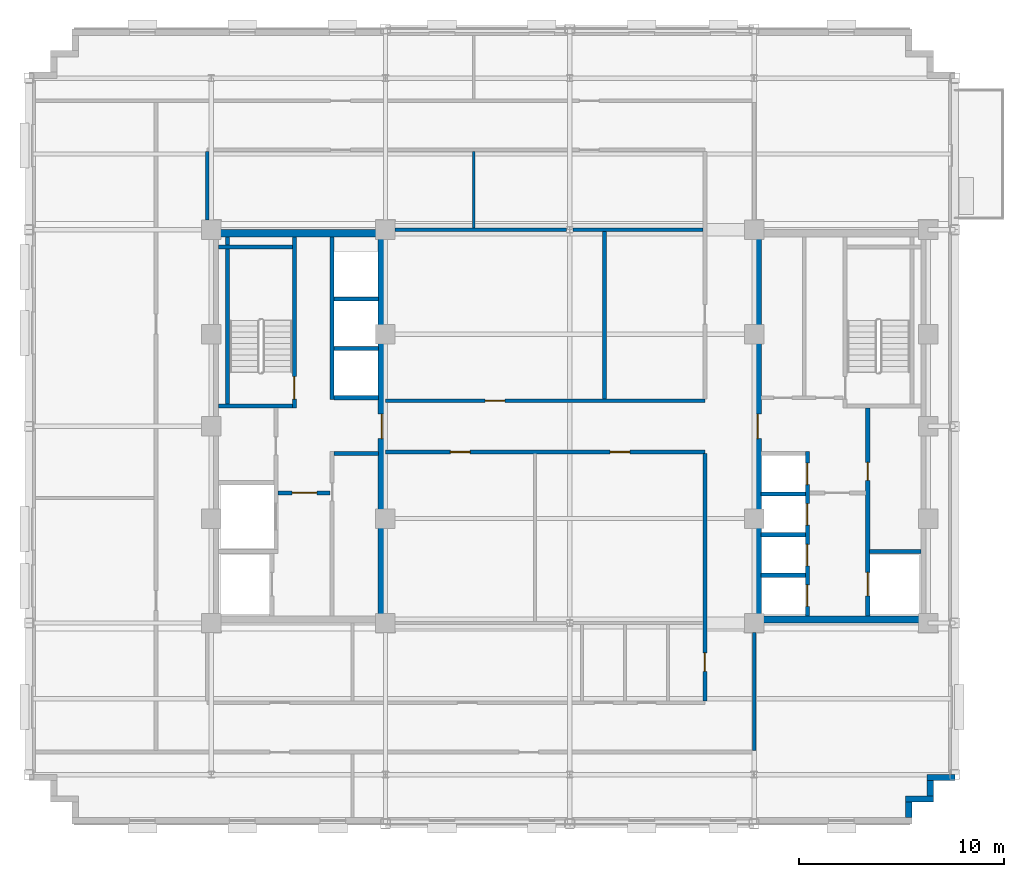
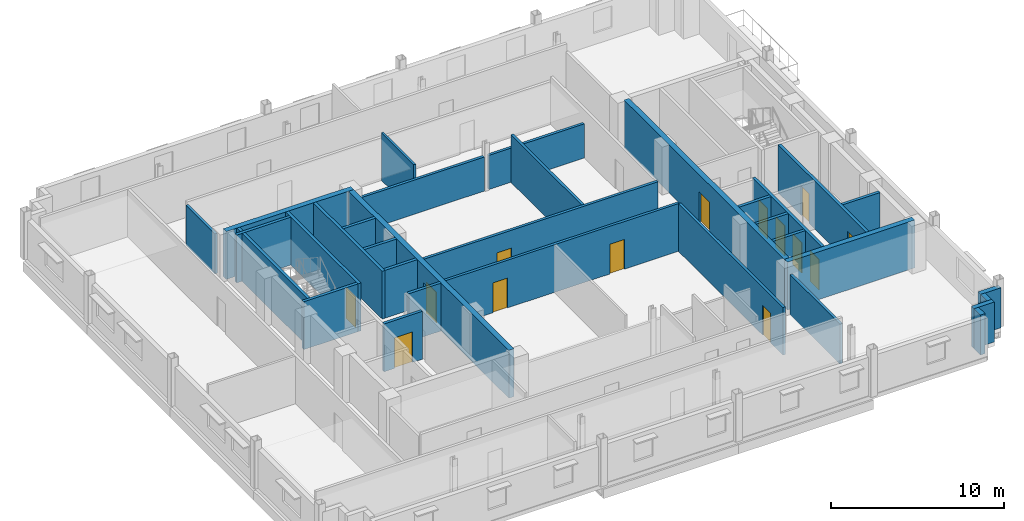
# One storey, part 7 of 13: 33 walls, 14 doors, 14 openings.
"""IFC4 building model written with IfcOpenShell, lengths in metres."""

from ifc_helpers import new_model, si_unit, direction, frame, frame_2d, origin, place, context, subcontext, project, spatial, rectangle, extrude, source, transform, mapped, material, layer, layer_set, type_object, type_shapes, element, fill, save


model = new_model("IFC4")

# Units and contexts
model_context = context("Model", 3, precision=1e-05, world=origin(), true_north=direction((0.0, 1.0)))
body_context = subcontext(model_context, "Body", "Model", "MODEL_VIEW")
ifc_project = project(units=[si_unit("LENGTHUNIT", "METRE"), si_unit("AREAUNIT", "SQUARE_METRE"), si_unit("VOLUMEUNIT", "CUBIC_METRE"), si_unit("PLANEANGLEUNIT", "RADIAN"), si_unit("MASSUNIT", "GRAM", prefix="KILO")], contexts=[model_context])

# Site, building, storey
site_placement = place(None, origin())
site = spatial("IfcSite", under=ifc_project, at=site_placement, CompositionType="ELEMENT")
building_placement = place(site_placement, origin())
building = spatial("IfcBuilding", under=site, at=building_placement, Name="Nuvemarco Arch Tower", CompositionType="ELEMENT")
storey_placement = place(building_placement, frame((0.0, 0.0, 216.449951171875)))
storey = spatial("IfcBuildingStorey", under=building, at=storey_placement, Name="L57", CompositionType="ELEMENT", Elevation=216.449951171875)

# Walls
ifc_material_1 = material(Name="Precast concrete C45/55", Category="concrete")
ifc_layer_1 = layer(ifc_material_1, 0.31005859375, Name="EW-UPP-310")
ifc_layer_set_1 = layer_set([ifc_layer_1], Name="Precast concrete C45/55")
wall_type_1 = type_object("IfcWallType", Name="EW-UPP-310", PredefinedType="STANDARD", material=ifc_layer_set_1)
wall_1_placement = place(storey_placement, frame((16.544921875, -19.093994140625, 0.0), z_axis=(0.0, 0.0, 1.0), x_axis=(0.0, 1.0, 0.0)))
element("IfcWall", 1, at=wall_1_placement, inside=storey, type_object=wall_type_1, Name="L57 exterior precast facade wall 2", PredefinedType="STANDARD", context=body_context, shape_type="SweptSolid", body=[
    extrude(rectangle(XDim=0.748046875, YDim=0.31005859375, at=frame_2d((0.3740234375, 0.0))), origin(), (0.0, 0.0, 1.0), 2.816162109375),
])
wall_2_placement = place(storey_placement, frame((16.389892578125, -18.195068359375, 0.0), z_axis=(0.0, 0.0, 1.0), x_axis=(1.0, 0.0, 0.0)))
element("IfcWall", 2, at=wall_2_placement, inside=storey, type_object=wall_type_1, Name="L57 exterior precast facade wall 3", PredefinedType="STANDARD", context=body_context, shape_type="SweptSolid", body=[
    extrude(rectangle(XDim=1.360107421875, YDim=0.31005859375, at=frame_2d((0.68017578125, 0.0))), origin(), (0.0, 0.0, 1.0), 2.816162109375),
])
wall_3_placement = place(storey_placement, frame((17.594970703125, -18.0439453125, 0.0), z_axis=(0.0, 0.0, 1.0), x_axis=(0.0, 1.0, 0.0)))
element("IfcWall", 3, at=wall_3_placement, inside=storey, type_object=wall_type_1, Name="L57 exterior precast facade wall 4", PredefinedType="STANDARD", context=body_context, shape_type="SweptSolid", body=[
    extrude(rectangle(XDim=0.748046875, YDim=0.31005859375, at=frame_2d((0.3740234375, 0.0))), origin(), (0.0, 0.0, 1.0), 2.816162109375),
])
wall_4_placement = place(storey_placement, frame((17.43994140625, -17.14501953125, 0.0), z_axis=(0.0, 0.0, 1.0), x_axis=(1.0, 0.0, 0.0)))
element("IfcWall", 4, at=wall_4_placement, inside=storey, type_object=wall_type_1, Name="L57 exterior precast facade wall 5", PredefinedType="STANDARD", context=body_context, shape_type="SweptSolid", body=[
    extrude(rectangle(XDim=1.360107421875, YDim=0.31005859375, at=frame_2d((0.68017578125, 0.0))), origin(), (0.0, 0.0, 1.0), 2.816162109375),
])
ifc_material_2 = material(Name="Concrete C50/60", Category="concrete")
ifc_layer_2 = layer(ifc_material_2, 0.35009765625, Name="WL-CORE-350")
ifc_layer_set_2 = layer_set([ifc_layer_2], Name="Concrete C50/60")
wall_type_2 = type_object("IfcWallType", Name="WL-CORE-350", PredefinedType="SHEAR", material=ifc_layer_set_2)
wall_5_placement = place(storey_placement, frame((-17.5, 9.425048828125, 0.0), z_axis=(0.0, 0.0, 1.0), x_axis=(1.0, 0.0, 0.0)))
element("IfcWall", 5, at=wall_5_placement, inside=storey, type_object=wall_type_2, Name="L57 W-core shear wall N", PredefinedType="SHEAR", context=body_context, shape_type="SweptSolid", body=[
    extrude(rectangle(XDim=8.5, YDim=0.35009765625, at=frame_2d((4.25, 0.0))), origin(), (0.0, 0.0, 1.0), 3.3701171875),
])

# Wall, opening, door
wall_6_placement = place(storey_placement, frame((-9.175048828125, -9.2548828125, 0.0), z_axis=(0.0, 0.0, 1.0), x_axis=(0.0, 1.0, 0.0)))
wall_6 = element("IfcWall", 6, at=wall_6_placement, inside=storey, type_object=wall_type_2, Name="L57 W-core shear wall E", PredefinedType="SHEAR", context=body_context, shape_type="SweptSolid", body=[
    extrude(rectangle(XDim=18.509765625, YDim=0.35009765625, at=frame_2d((9.2548828125, 0.0))), origin(), (0.0, 0.0, 1.0), 3.3701171875),
])
opening_1_placement = place(wall_6_placement, frame((8.655029296875, 0.0, 0.0)))
opening_1 = element("IfcOpeningElement", 7, at=opening_1_placement, cuts=wall_6, Name="Opening FD-2", PredefinedType="OPENING", context=body_context, shape_type="SweptSolid", body=[
    extrude(rectangle(XDim=1.199951171875, YDim=2.14990234375, at=frame_2d((0.60009765625, 1.074951171875))), frame((0.0, 0.18505859375, 0.0), z_axis=(0.0, -1.0, 0.0), x_axis=(1.0, 0.0, 0.0)), (0.0, 0.0, 1.0), 0.3701171875),
])
ifc_material_3 = material(Name="Anodised steel fire door", Category="steel")
door_type_1 = type_object("IfcDoorType", Name="DR-FFLOB-FD", OperationType="NOTDEFINED", PredefinedType="DOOR", material=ifc_material_3)
shared_shape_1 = source(origin(), body_context, "Body", "SweptSolid", [
    extrude(rectangle(XDim=1.199951171875, YDim=2.14990234375, at=frame_2d((0.60009765625, 1.074951171875))), frame((0.0, 0.02490234375, 0.0), z_axis=(0.0, -1.0, 0.0), x_axis=(1.0, 0.0, 0.0)), (0.0, 0.0, 1.0), 0.050048828125),
])
type_shapes(door_type_1, [shared_shape_1])
door_1_placement = place(opening_1_placement, origin())
door_1 = element("IfcDoor", 8, at=door_1_placement, inside=storey, type_object=door_type_1, Name="L57 door FD-L57-WCORE-E", OperationType="SINGLE_SWING_RIGHT", OverallHeight=2.14990234375, OverallWidth=1.199951171875, PredefinedType="DOOR", context=body_context, shape_type="MappedRepresentation", body=[
    mapped(shared_shape_1, transform((0.0, 0.0, 0.0), scale=1.0)),
])
fill(opening_1, door_1)

# Wall
wall_7_placement = place(storey_placement, frame((9.0, -9.425048828125, 0.0), z_axis=(0.0, 0.0, 1.0), x_axis=(1.0, 0.0, 0.0)))
element("IfcWall", 9, at=wall_7_placement, inside=storey, type_object=wall_type_2, Name="L57 E-core shear wall S", PredefinedType="SHEAR", context=body_context, shape_type="SweptSolid", body=[
    extrude(rectangle(XDim=8.5, YDim=0.35009765625, at=frame_2d((4.25, 0.0))), origin(), (0.0, 0.0, 1.0), 3.3701171875),
])

# Wall, opening, door
wall_8_placement = place(storey_placement, frame((9.175048828125, -9.2548828125, 0.0), z_axis=(0.0, 0.0, 1.0), x_axis=(0.0, 1.0, 0.0)))
wall_8 = element("IfcWall", 10, at=wall_8_placement, inside=storey, type_object=wall_type_2, Name="L57 E-core shear wall W", PredefinedType="SHEAR", context=body_context, shape_type="SweptSolid", body=[
    extrude(rectangle(XDim=18.509765625, YDim=0.35009765625, at=frame_2d((9.2548828125, 0.0))), origin(), (0.0, 0.0, 1.0), 3.3701171875),
])
opening_2_placement = place(wall_8_placement, frame((8.655029296875, 0.0, 0.0)))
opening_2 = element("IfcOpeningElement", 11, at=opening_2_placement, cuts=wall_8, Name="Opening FD-2", PredefinedType="OPENING", context=body_context, shape_type="SweptSolid", body=[
    extrude(rectangle(XDim=1.199951171875, YDim=2.14990234375, at=frame_2d((0.60009765625, 1.074951171875))), frame((0.0, 0.18505859375, 0.0), z_axis=(0.0, -1.0, 0.0), x_axis=(1.0, 0.0, 0.0)), (0.0, 0.0, 1.0), 0.3701171875),
])
door_2_placement = place(opening_2_placement, origin())
door_2 = element("IfcDoor", 12, at=door_2_placement, inside=storey, type_object=door_type_1, Name="L57 door FD-L57-ECORE-W", OperationType="SINGLE_SWING_LEFT", OverallHeight=2.14990234375, OverallWidth=1.199951171875, PredefinedType="DOOR", context=body_context, shape_type="MappedRepresentation", body=[
    mapped(shared_shape_1, transform((0.0, 0.0, 0.0), scale=1.0)),
])
fill(opening_2, door_2)

# Wall, openings, doors
ifc_material_4 = material(Name="Fire-rated gypsum drywall partition")
ifc_layer_3 = layer(ifc_material_4, 0.179931640625, Name="WL-CORR-180")
ifc_layer_set_3 = layer_set([ifc_layer_3], Name="Fire-rated gypsum drywall partition")
wall_type_3 = type_object("IfcWallType", Name="WL-CORR-180", PredefinedType="PARTITIONING", material=ifc_layer_set_3)
wall_9_placement = place(storey_placement, frame((-9.0, -1.25, 0.0), z_axis=(0.0, 0.0, 1.0), x_axis=(1.0, 0.0, 0.0)))
wall_9 = element("IfcWall", 13, at=wall_9_placement, inside=storey, type_object=wall_type_3, Name="L57 interior wall IW-L57-006", PredefinedType="PARTITIONING", context=body_context, shape_type="SweptSolid", body=[
    extrude(rectangle(XDim=15.60009765625, YDim=0.179931640625, at=frame_2d((7.800048828125, 0.0))), origin(), (0.0, 0.0, 1.0), 3.360107421875),
])
opening_3_placement = place(wall_9_placement, frame((10.969970703125, 0.0, 0.0)))
opening_3 = element("IfcOpeningElement", 14, at=opening_3_placement, cuts=wall_9, Name="Opening FD-5", PredefinedType="OPENING", context=body_context, shape_type="SweptSolid", body=[
    extrude(rectangle(XDim=0.9599609375, YDim=2.10009765625, at=frame_2d((0.47998046875, 1.050048828125))), frame((0.0, 0.099853515625, 0.0), z_axis=(0.0, -1.0, 0.0), x_axis=(1.0, 0.0, 0.0)), (0.0, 0.0, 1.0), 0.199951171875),
])
opening_4_placement = place(wall_9_placement, frame((3.169921875, 0.0, 0.0)))
opening_4 = element("IfcOpeningElement", 15, at=opening_4_placement, cuts=wall_9, Name="Opening FD-5", PredefinedType="OPENING", context=body_context, shape_type="SweptSolid", body=[
    extrude(rectangle(XDim=0.9599609375, YDim=2.10009765625, at=frame_2d((0.47998046875, 1.050048828125))), frame((0.0, 0.099853515625, 0.0), z_axis=(0.0, -1.0, 0.0), x_axis=(1.0, 0.0, 0.0)), (0.0, 0.0, 1.0), 0.199951171875),
])
ifc_material_5 = material(Name="Timber fire door", Category="wood")
door_type_2 = type_object("IfcDoorType", Name="DR-CORR-FD", OperationType="NOTDEFINED", PredefinedType="DOOR", material=ifc_material_5)
shared_shape_2 = source(origin(), body_context, "Body", "SweptSolid", [
    extrude(rectangle(XDim=0.9599609375, YDim=2.10009765625, at=frame_2d((0.47998046875, 1.050048828125))), frame((0.0, 0.02490234375, 0.0), z_axis=(0.0, -1.0, 0.0), x_axis=(1.0, 0.0, 0.0)), (0.0, 0.0, 1.0), 0.050048828125),
])
type_shapes(door_type_2, [shared_shape_2])
door_3_placement = place(opening_3_placement, origin())
door_3 = element("IfcDoor", 16, at=door_3_placement, inside=storey, type_object=door_type_2, Name="L57 door DR-L57-C_SE", OperationType="SINGLE_SWING_LEFT", OverallHeight=2.10009765625, OverallWidth=0.9599609375, PredefinedType="DOOR", context=body_context, shape_type="MappedRepresentation", body=[
    mapped(shared_shape_2, transform((0.0, 0.0, 0.0), scale=1.0)),
])
fill(opening_3, door_3)
door_4_placement = place(opening_4_placement, origin())
door_4 = element("IfcDoor", 17, at=door_4_placement, inside=storey, type_object=door_type_2, Name="L57 door DR-L57-C_SW", OperationType="SINGLE_SWING_LEFT", OverallHeight=2.10009765625, OverallWidth=0.9599609375, PredefinedType="DOOR", context=body_context, shape_type="MappedRepresentation", body=[
    mapped(shared_shape_2, transform((0.0, 0.0, 0.0), scale=1.0)),
])
fill(opening_4, door_4)

# Wall, opening, door
wall_10_placement = place(storey_placement, frame((-9.0, 1.25, 0.0), z_axis=(0.0, 0.0, 1.0), x_axis=(1.0, 0.0, 0.0)))
wall_10 = element("IfcWall", 18, at=wall_10_placement, inside=storey, type_object=wall_type_3, Name="L57 interior wall IW-L57-007", PredefinedType="PARTITIONING", context=body_context, shape_type="SweptSolid", body=[
    extrude(rectangle(XDim=15.60009765625, YDim=0.179931640625, at=frame_2d((7.800048828125, 0.0))), origin(), (0.0, 0.0, 1.0), 3.360107421875),
])
opening_5_placement = place(wall_10_placement, frame((4.8701171875, 0.0, 0.0)))
opening_5 = element("IfcOpeningElement", 19, at=opening_5_placement, cuts=wall_10, Name="Opening FD-5", PredefinedType="OPENING", context=body_context, shape_type="SweptSolid", body=[
    extrude(rectangle(XDim=0.9599609375, YDim=2.10009765625, at=frame_2d((0.47998046875, 1.050048828125))), frame((0.0, 0.099853515625, 0.0), z_axis=(0.0, -1.0, 0.0), x_axis=(1.0, 0.0, 0.0)), (0.0, 0.0, 1.0), 0.199951171875),
])
door_5_placement = place(opening_5_placement, origin())
door_5 = element("IfcDoor", 20, at=door_5_placement, inside=storey, type_object=door_type_2, Name="L57 door DR-L57-C_NW", OperationType="SINGLE_SWING_LEFT", OverallHeight=2.10009765625, OverallWidth=0.9599609375, PredefinedType="DOOR", context=body_context, shape_type="MappedRepresentation", body=[
    mapped(shared_shape_2, transform((0.0, 0.0, 0.0), scale=1.0)),
])
fill(opening_5, door_5)

# Walls
wall_11_placement = place(storey_placement, frame((-8.529052734375, 9.60009765625, 0.0), z_axis=(0.0, 0.0, 1.0), x_axis=(1.0, 0.0, 0.0)))
element("IfcWall", 21, at=wall_11_placement, inside=storey, type_object=wall_type_3, Name="L57 interior wall IW-L57-008", PredefinedType="PARTITIONING", context=body_context, shape_type="SweptSolid", body=[
    extrude(rectangle(XDim=8.378173828125, YDim=0.179931640625, at=frame_2d((4.18896484375, 0.0))), origin(), (0.0, 0.0, 1.0), 2.405029296875),
])
wall_12_placement = place(storey_placement, frame((0.15087890625, 9.60009765625, 0.0), z_axis=(0.0, 0.0, 1.0), x_axis=(1.0, 0.0, 0.0)))
element("IfcWall", 22, at=wall_12_placement, inside=storey, type_object=wall_type_3, Name="L57 interior wall IW-L57-009", PredefinedType="PARTITIONING", context=body_context, shape_type="SweptSolid", body=[
    extrude(rectangle(XDim=6.363037109375, YDim=0.179931640625, at=frame_2d((3.181640625, 0.0))), origin(), (0.0, 0.0, 1.0), 2.405029296875),
])
wall_13_placement = place(storey_placement, frame((-17.699951171875, 10.071044921875, 0.0), z_axis=(0.0, 0.0, 1.0), x_axis=(0.0, 1.0, 0.0)))
element("IfcWall", 23, at=wall_13_placement, inside=storey, type_object=wall_type_3, Name="L57 interior wall IW-L57-014", PredefinedType="PARTITIONING", context=body_context, shape_type="SweptSolid", body=[
    extrude(rectangle(XDim=3.343017578125, YDim=0.179931640625, at=frame_2d((1.67138671875, 0.0))), origin(), (0.0, 0.0, 1.0), 2.816162109375),
])
wall_14_placement = place(storey_placement, frame((1.699951171875, 1.3359375, 0.0), z_axis=(0.0, 0.0, 1.0), x_axis=(0.0, 1.0, 0.0)))
element("IfcWall", 24, at=wall_14_placement, inside=storey, type_object=wall_type_3, Name="L57 interior wall IW-L57-021", PredefinedType="PARTITIONING", context=body_context, shape_type="SweptSolid", body=[
    extrude(rectangle(XDim=8.177978515625, YDim=0.179931640625, at=frame_2d((4.0888671875, 0.0))), origin(), (0.0, 0.0, 1.0), 3.360107421875),
])

# Wall, opening, door
wall_15_placement = place(storey_placement, frame((6.60009765625, -13.4140625, 0.0), z_axis=(0.0, 0.0, 1.0), x_axis=(0.0, 1.0, 0.0)))
wall_15 = element("IfcWall", 25, at=wall_15_placement, inside=storey, type_object=wall_type_3, Name="L57 interior wall IW-L57-024", PredefinedType="PARTITIONING", context=body_context, shape_type="SweptSolid", body=[
    extrude(rectangle(XDim=12.078125, YDim=0.179931640625, at=frame_2d((6.0390625, 0.0))), origin(), (0.0, 0.0, 1.0), 3.360107421875),
])
opening_6_placement = place(wall_15_placement, frame((1.45703125, 0.0, 0.0)))
opening_6 = element("IfcOpeningElement", 26, at=opening_6_placement, cuts=wall_15, Name="Opening ID-3", PredefinedType="OPENING", context=body_context, shape_type="SweptSolid", body=[
    extrude(rectangle(XDim=0.89990234375, YDim=2.10009765625, at=frame_2d((0.449951171875, 1.050048828125))), frame((0.0, 0.099853515625, 0.0), z_axis=(0.0, -1.0, 0.0), x_axis=(1.0, 0.0, 0.0)), (0.0, 0.0, 1.0), 0.199951171875),
])
ifc_material_6 = material(Name="Veneered oak timber fire door", Category="wood")
door_type_3 = type_object("IfcDoorType", Name="DR-WC-ACC", OperationType="NOTDEFINED", PredefinedType="DOOR", material=ifc_material_6)
shared_shape_3 = source(origin(), body_context, "Body", "SweptSolid", [
    extrude(rectangle(XDim=0.89990234375, YDim=2.10009765625, at=frame_2d((0.449951171875, 1.050048828125))), frame((0.0, 0.02490234375, 0.0), z_axis=(0.0, -1.0, 0.0), x_axis=(1.0, 0.0, 0.0)), (0.0, 0.0, 1.0), 0.050048828125),
])
type_shapes(door_type_3, [shared_shape_3])
door_6_placement = place(opening_6_placement, origin())
door_6 = element("IfcDoor", 27, at=door_6_placement, inside=storey, type_object=door_type_3, Name="L57 door DR-L57-WC_ACC", OperationType="SINGLE_SWING_RIGHT", OverallHeight=2.10009765625, OverallWidth=0.89990234375, PredefinedType="DOOR", context=body_context, shape_type="MappedRepresentation", body=[
    mapped(shared_shape_3, transform((0.0, 0.0, 0.0), scale=1.0)),
])
fill(opening_6, door_6)

# Walls
wall_16_placement = place(storey_placement, frame((9.0, -15.81396484375, 0.0), z_axis=(0.0, 0.0, 1.0), x_axis=(0.0, 1.0, 0.0)))
element("IfcWall", 28, at=wall_16_placement, inside=storey, type_object=wall_type_3, Name="L57 interior wall IW-L57-026", PredefinedType="PARTITIONING", context=body_context, shape_type="SweptSolid", body=[
    extrude(rectangle(XDim=5.742919921875, YDim=0.179931640625, at=frame_2d((2.87158203125, 0.0))), origin(), (0.0, 0.0, 1.0), 2.816162109375),
])
ifc_material_7 = material(Name="Gypsum plasterboard partition")
ifc_layer_4 = layer(ifc_material_7, 0.139892578125, Name="WL-ROOM-140")
ifc_layer_set_4 = layer_set([ifc_layer_4], Name="Gypsum plasterboard partition")
wall_type_4 = type_object("IfcWallType", Name="WL-ROOM-140", PredefinedType="PARTITIONING", material=ifc_layer_set_4)
wall_17_placement = place(storey_placement, frame((-4.68994140625, 9.68603515625, 0.0), z_axis=(0.0, 0.0, 1.0), x_axis=(0.0, 1.0, 0.0)))
element("IfcWall", 29, at=wall_17_placement, inside=storey, type_object=wall_type_4, Name="L57 interior wall IW-L57-017", PredefinedType="PARTITIONING", context=body_context, shape_type="SweptSolid", body=[
    extrude(rectangle(XDim=3.72802734375, YDim=0.139892578125, at=frame_2d((1.864013671875, 0.0))), origin(), (0.0, 0.0, 1.0), 3.360107421875),
])

# Wall, opening, door
ifc_layer_5 = layer(ifc_material_2, 0.199951171875, Name="WL-SHAFT-220")
ifc_layer_set_5 = layer_set([ifc_layer_5], Name="Concrete C50/60")
wall_type_5 = type_object("IfcWallType", Name="WL-SHAFT-220", PredefinedType="SHEAR", material=ifc_layer_set_5)
wall_18_placement = place(storey_placement, frame((-13.43994140625, 0.89990234375, 0.0), z_axis=(0.0, 0.0, 1.0), x_axis=(0.0, 1.0, 0.0)))
wall_18 = element("IfcWall", 30, at=wall_18_placement, inside=storey, type_object=wall_type_5, Name="L57 structural shaft wall SW-L57-W-ST1E", PredefinedType="SHEAR", context=body_context, shape_type="SweptSolid", body=[
    extrude(rectangle(XDim=8.35498046875, YDim=0.199951171875, at=frame_2d((4.177490234375, 0.0))), origin(), (0.0, 0.0, 1.0), 3.3701171875),
])
opening_7_placement = place(wall_18_placement, frame((1.530029296875, 0.0, 0.0), z_axis=(0.0, 0.0, 1.0), x_axis=(-1.0, 0.0, 0.0)))
opening_7 = element("IfcOpeningElement", 31, at=opening_7_placement, cuts=wall_18, Name="Opening FD-1", PredefinedType="OPENING", context=body_context, shape_type="SweptSolid", body=[
    extrude(rectangle(XDim=1.10009765625, YDim=2.14990234375, at=frame_2d((0.550048828125, 1.074951171875))), frame((0.0, 0.10986328125, 0.0), z_axis=(0.0, -1.0, 0.0), x_axis=(1.0, 0.0, 0.0)), (0.0, 0.0, 1.0), 0.219970703125),
])
door_type_4 = type_object("IfcDoorType", Name="DR-STAIR-FD", OperationType="NOTDEFINED", PredefinedType="DOOR", material=ifc_material_3)
shared_shape_4 = source(origin(), body_context, "Body", "SweptSolid", [
    extrude(rectangle(XDim=1.10009765625, YDim=2.14990234375, at=frame_2d((0.550048828125, 1.074951171875))), frame((0.0, 0.02490234375, 0.0), z_axis=(0.0, -1.0, 0.0), x_axis=(1.0, 0.0, 0.0)), (0.0, 0.0, 1.0), 0.050048828125),
])
type_shapes(door_type_4, [shared_shape_4])
door_7_placement = place(opening_7_placement, origin())
door_7 = element("IfcDoor", 32, at=door_7_placement, inside=storey, type_object=door_type_4, Name="L57 door FD-L57-ST1", OperationType="SINGLE_SWING_LEFT", OverallHeight=2.14990234375, OverallWidth=1.10009765625, PredefinedType="DOOR", context=body_context, shape_type="MappedRepresentation", body=[
    mapped(shared_shape_4, transform((0.0, 0.0, 0.0), scale=1.0)),
])
fill(opening_7, door_7)

# Walls
for number, where, z_axis, x_axis, name in (
    (33, (-17.155029296875, 1.0, 0.0), (0.0, 0.0, 1.0), (1.0, 0.0, 0.0), "L57 structural shaft wall SW-L57-W-ST1S"),
    (34, (-17.155029296875, 8.75, 0.0), (0.0, 0.0, 1.0), (1.0, 0.0, 0.0), "L57 structural shaft wall SW-L57-W-ST1N"),
):
    element("IfcWall", number, at=place(storey_placement, frame(where, z_axis=z_axis, x_axis=x_axis)), inside=storey, type_object=wall_type_5, Name=name, PredefinedType="SHEAR", context=body_context, shape_type="SweptSolid", body=[
        extrude(rectangle(XDim=3.6201171875, YDim=0.199951171875, at=frame_2d((1.81005859375, 0.0))), origin(), (0.0, 0.0, 1.0), 3.3701171875),
    ])
wall_19_placement = place(storey_placement, frame((-16.699951171875, 1.094970703125, 0.0), z_axis=(0.0, 0.0, 1.0), x_axis=(0.0, 1.0, 0.0)))
element("IfcWall", 35, at=wall_19_placement, inside=storey, type_object=wall_type_5, Name="L57 structural shaft wall SW-L57-W-ST1W", PredefinedType="SHEAR", context=body_context, shape_type="SweptSolid", body=[
    extrude(rectangle(XDim=8.159912109375, YDim=0.199951171875, at=frame_2d((4.080078125, 0.0))), origin(), (0.0, 0.0, 1.0), 3.3701171875),
])

# Wall, opening, door
wall_20_placement = place(storey_placement, frame((-14.2548828125, -3.25, 0.0), z_axis=(0.0, 0.0, 1.0), x_axis=(1.0, 0.0, 0.0)))
wall_20 = element("IfcWall", 36, at=wall_20_placement, inside=storey, type_object=wall_type_5, Name="L57 structural shaft wall SW-L57-W-FFN", PredefinedType="SHEAR", context=body_context, shape_type="SweptSolid", body=[
    extrude(rectangle(XDim=2.559814453125, YDim=0.199951171875, at=frame_2d((1.27978515625, 0.0))), origin(), (0.0, 0.0, 1.0), 3.3701171875),
])
opening_8_placement = place(wall_20_placement, frame((0.705078125, 0.0, 0.0)))
opening_8 = element("IfcOpeningElement", 37, at=opening_8_placement, cuts=wall_20, Name="Opening FD-2", PredefinedType="OPENING", context=body_context, shape_type="SweptSolid", body=[
    extrude(rectangle(XDim=1.199951171875, YDim=2.14990234375, at=frame_2d((0.60009765625, 1.074951171875))), frame((0.0, 0.10986328125, 0.0), z_axis=(0.0, -1.0, 0.0), x_axis=(1.0, 0.0, 0.0)), (0.0, 0.0, 1.0), 0.219970703125),
])
door_8_placement = place(opening_8_placement, origin())
door_8 = element("IfcDoor", 38, at=door_8_placement, inside=storey, type_object=door_type_1, Name="L57 door FD-L57-WFF1", OperationType="SINGLE_SWING_LEFT", OverallHeight=2.14990234375, OverallWidth=1.199951171875, PredefinedType="DOOR", context=body_context, shape_type="MappedRepresentation", body=[
    mapped(shared_shape_1, transform((0.0, 0.0, 0.0), scale=1.0)),
])
fill(opening_8, door_8)

# Walls
wall_21_placement = place(storey_placement, frame((-11.5048828125, -1.330078125, 0.0), z_axis=(0.0, 0.0, 1.0), x_axis=(1.0, 0.0, 0.0)))
element("IfcWall", 39, at=wall_21_placement, inside=storey, type_object=wall_type_5, Name="L57 structural shaft wall SW-L57-W-PLTOP", PredefinedType="SHEAR", context=body_context, shape_type="SweptSolid", body=[
    extrude(rectangle(XDim=2.159912109375, YDim=0.199951171875, at=frame_2d((1.080078125, 0.0))), origin(), (0.0, 0.0, 1.0), 3.3701171875),
])
wall_22_placement = place(storey_placement, frame((-11.60009765625, 1.300048828125, 0.0), z_axis=(0.0, 0.0, 1.0), x_axis=(0.0, 1.0, 0.0)))
element("IfcWall", 40, at=wall_22_placement, inside=storey, type_object=wall_type_5, Name="L57 structural shaft wall SW-L57-W-PHW", PredefinedType="SHEAR", context=body_context, shape_type="SweptSolid", body=[
    extrude(rectangle(XDim=7.954833984375, YDim=0.199951171875, at=frame_2d((3.9775390625, 0.0))), origin(), (0.0, 0.0, 1.0), 3.3701171875),
])
for number, where, z_axis, x_axis, name in (
    (41, (-11.5048828125, 1.39990234375, 0.0), (0.0, 0.0, 1.0), (1.0, 0.0, 0.0), "L57 structural shaft wall SW-L57-W-PHD1"),
    (42, (-11.5048828125, 3.800048828125, 0.0), (0.0, 0.0, 1.0), (1.0, 0.0, 0.0), "L57 structural shaft wall SW-L57-W-PHD2"),
    (43, (-11.5048828125, 6.219970703125, 0.0), (0.0, 0.0, 1.0), (1.0, 0.0, 0.0), "L57 structural shaft wall SW-L57-W-PHD3"),
):
    element("IfcWall", number, at=place(storey_placement, frame(where, z_axis=z_axis, x_axis=x_axis)), inside=storey, type_object=wall_type_5, Name=name, PredefinedType="SHEAR", context=body_context, shape_type="SweptSolid", body=[
        extrude(rectangle(XDim=2.159912109375, YDim=0.199951171875, at=frame_2d((1.080078125, 0.0))), origin(), (0.0, 0.0, 1.0), 3.3701171875),
    ])

# Wall, openings, doors
wall_23_placement = place(storey_placement, frame((14.550048828125, -9.2548828125, 0.0), z_axis=(0.0, 0.0, 1.0), x_axis=(0.0, 1.0, 0.0)))
wall_23 = element("IfcWall", 44, at=wall_23_placement, inside=storey, type_object=wall_type_5, Name="L57 structural shaft wall SW-L57-E-SHW", PredefinedType="SHEAR", context=body_context, shape_type="SweptSolid", body=[
    extrude(rectangle(XDim=10.159912109375, YDim=0.199951171875, at=frame_2d((5.080078125, 0.0))), origin(), (0.0, 0.0, 1.0), 3.3701171875),
])
opening_9_placement = place(wall_23_placement, frame((6.614990234375, 0.0, 0.0)))
opening_9 = element("IfcOpeningElement", 45, at=opening_9_placement, cuts=wall_23, Name="Opening FD-4", PredefinedType="OPENING", context=body_context, shape_type="SweptSolid", body=[
    extrude(rectangle(XDim=0.8798828125, YDim=2.10009765625, at=frame_2d((0.43994140625, 1.050048828125))), frame((0.0, 0.10986328125, 0.0), z_axis=(0.0, -1.0, 0.0), x_axis=(1.0, 0.0, 0.0)), (0.0, 0.0, 1.0), 0.219970703125),
])
opening_10_placement = place(wall_23_placement, frame((0.97998046875, 0.0, 0.0)))
opening_10 = element("IfcOpeningElement", 46, at=opening_10_placement, cuts=wall_23, Name="Opening LD-2", PredefinedType="OPENING", context=body_context, shape_type="SweptSolid", body=[
    extrude(rectangle(XDim=1.14990234375, YDim=2.14990234375, at=frame_2d((0.574951171875, 1.074951171875))), frame((0.0, 0.10986328125, 0.0), z_axis=(0.0, -1.0, 0.0), x_axis=(1.0, 0.0, 0.0)), (0.0, 0.0, 1.0), 0.219970703125),
])
door_type_5 = type_object("IfcDoorType", Name="DR-RISER-FD", OperationType="NOTDEFINED", PredefinedType="DOOR", material=ifc_material_3)
shared_shape_5 = source(origin(), body_context, "Body", "SweptSolid", [
    extrude(rectangle(XDim=0.8798828125, YDim=2.10009765625, at=frame_2d((0.43994140625, 1.050048828125))), frame((0.0, 0.02490234375, 0.0), z_axis=(0.0, -1.0, 0.0), x_axis=(1.0, 0.0, 0.0)), (0.0, 0.0, 1.0), 0.050048828125),
])
type_shapes(door_type_5, [shared_shape_5])
door_9_placement = place(opening_9_placement, origin())
door_9 = element("IfcDoor", 47, at=door_9_placement, inside=storey, type_object=door_type_5, Name="L57 door FD-L57-ERIS", OperationType="SINGLE_SWING_RIGHT", OverallHeight=2.10009765625, OverallWidth=0.8798828125, PredefinedType="DOOR", context=body_context, shape_type="MappedRepresentation", body=[
    mapped(shared_shape_5, transform((0.0, 0.0, 0.0), scale=1.0)),
])
fill(opening_9, door_9)
ifc_material_8 = material(Name="Stainless steel lift door", Category="steel")
door_type_6 = type_object("IfcDoorType", Name="DR-LIFT-FIRE", OperationType="DOUBLE_DOOR_SLIDING", PredefinedType="DOOR", material=ifc_material_8)
shared_shape_6 = source(origin(), body_context, "Body", "SweptSolid", [
    extrude(rectangle(XDim=1.14990234375, YDim=2.14990234375, at=frame_2d((0.574951171875, 1.074951171875))), frame((0.0, 0.02490234375, 0.0), z_axis=(0.0, -1.0, 0.0), x_axis=(1.0, 0.0, 0.0)), (0.0, 0.0, 1.0), 0.050048828125),
])
type_shapes(door_type_6, [shared_shape_6])
door_10_placement = place(opening_10_placement, origin())
door_10 = element("IfcDoor", 48, at=door_10_placement, inside=storey, type_object=door_type_6, Name="L57 Lift landing sliding door FFL-2", OperationType="DOUBLE_DOOR_SLIDING", OverallHeight=2.14990234375, OverallWidth=1.14990234375, PredefinedType="DOOR", context=body_context, shape_type="MappedRepresentation", body=[
    mapped(shared_shape_6, transform((0.0, 0.0, 0.0), scale=1.0)),
])
fill(opening_10, door_10)

# Wall
wall_24_placement = place(storey_placement, frame((14.64501953125, -6.10009765625, 0.0), z_axis=(0.0, 0.0, 1.0), x_axis=(1.0, 0.0, 0.0)))
element("IfcWall", 49, at=wall_24_placement, inside=storey, type_object=wall_type_5, Name="L57 structural shaft wall SW-L57-E-SH1", PredefinedType="SHEAR", context=body_context, shape_type="SweptSolid", body=[
    extrude(rectangle(XDim=2.510009765625, YDim=0.199951171875, at=frame_2d((1.2548828125, 0.0))), origin(), (0.0, 0.0, 1.0), 3.3701171875),
])

# Wall, openings, doors
wall_25_placement = place(storey_placement, frame((11.60009765625, -9.2548828125, 0.0), z_axis=(0.0, 0.0, 1.0), x_axis=(0.0, 1.0, 0.0)))
wall_25 = element("IfcWall", 50, at=wall_25_placement, inside=storey, type_object=wall_type_5, Name="L57 structural shaft wall SW-L57-E-PME", PredefinedType="SHEAR", context=body_context, shape_type="SweptSolid", body=[
    extrude(rectangle(XDim=8.02490234375, YDim=0.199951171875, at=frame_2d((4.012451171875, 0.0))), origin(), (0.0, 0.0, 1.0), 3.3701171875),
])
opening_11_placement = place(wall_25_placement, frame((0.469970703125, 0.0, 0.0)))
opening_11 = element("IfcOpeningElement", 51, at=opening_11_placement, cuts=wall_25, Name="Opening LD-1", PredefinedType="OPENING", context=body_context, shape_type="SweptSolid", body=[
    extrude(rectangle(XDim=1.050048828125, YDim=2.14990234375, at=frame_2d((0.52490234375, 1.074951171875))), frame((0.0, 0.10986328125, 0.0), z_axis=(0.0, -1.0, 0.0), x_axis=(1.0, 0.0, 0.0)), (0.0, 0.0, 1.0), 0.219970703125),
])
opening_12_placement = place(wall_25_placement, frame((2.449951171875, 0.0, 0.0)))
opening_12 = element("IfcOpeningElement", 52, at=opening_12_placement, cuts=wall_25, Name="Opening LD-1", PredefinedType="OPENING", context=body_context, shape_type="SweptSolid", body=[
    extrude(rectangle(XDim=1.050048828125, YDim=2.14990234375, at=frame_2d((0.52490234375, 1.074951171875))), frame((0.0, 0.10986328125, 0.0), z_axis=(0.0, -1.0, 0.0), x_axis=(1.0, 0.0, 0.0)), (0.0, 0.0, 1.0), 0.219970703125),
])
opening_13_placement = place(wall_25_placement, frame((4.429931640625, 0.0, 0.0)))
opening_13 = element("IfcOpeningElement", 53, at=opening_13_placement, cuts=wall_25, Name="Opening LD-1", PredefinedType="OPENING", context=body_context, shape_type="SweptSolid", body=[
    extrude(rectangle(XDim=1.050048828125, YDim=2.14990234375, at=frame_2d((0.52490234375, 1.074951171875))), frame((0.0, 0.10986328125, 0.0), z_axis=(0.0, -1.0, 0.0), x_axis=(1.0, 0.0, 0.0)), (0.0, 0.0, 1.0), 0.219970703125),
])
opening_14_placement = place(wall_25_placement, frame((6.409912109375, 0.0, 0.0)))
opening_14 = element("IfcOpeningElement", 54, at=opening_14_placement, cuts=wall_25, Name="Opening LD-1", PredefinedType="OPENING", context=body_context, shape_type="SweptSolid", body=[
    extrude(rectangle(XDim=1.050048828125, YDim=2.14990234375, at=frame_2d((0.52490234375, 1.074951171875))), frame((0.0, 0.10986328125, 0.0), z_axis=(0.0, -1.0, 0.0), x_axis=(1.0, 0.0, 0.0)), (0.0, 0.0, 1.0), 0.219970703125),
])
door_type_7 = type_object("IfcDoorType", Name="DR-LIFT-PASS", OperationType="DOUBLE_DOOR_SLIDING", PredefinedType="DOOR", material=ifc_material_8)
shared_shape_7 = source(origin(), body_context, "Body", "SweptSolid", [
    extrude(rectangle(XDim=1.050048828125, YDim=2.14990234375, at=frame_2d((0.52490234375, 1.074951171875))), frame((0.0, 0.02490234375, 0.0), z_axis=(0.0, -1.0, 0.0), x_axis=(1.0, 0.0, 0.0)), (0.0, 0.0, 1.0), 0.050048828125),
])
type_shapes(door_type_7, [shared_shape_7])
door_11_placement = place(opening_11_placement, origin())
door_11 = element("IfcDoor", 55, at=door_11_placement, inside=storey, type_object=door_type_7, Name="L57 Lift landing sliding door PM-1", OperationType="DOUBLE_DOOR_SLIDING", OverallHeight=2.14990234375, OverallWidth=1.050048828125, PredefinedType="DOOR", context=body_context, shape_type="MappedRepresentation", body=[
    mapped(shared_shape_7, transform((0.0, 0.0, 0.0), scale=1.0)),
])
fill(opening_11, door_11)
door_12_placement = place(opening_12_placement, origin())
door_12 = element("IfcDoor", 56, at=door_12_placement, inside=storey, type_object=door_type_7, Name="L57 Lift landing sliding door PM-2", OperationType="DOUBLE_DOOR_SLIDING", OverallHeight=2.14990234375, OverallWidth=1.050048828125, PredefinedType="DOOR", context=body_context, shape_type="MappedRepresentation", body=[
    mapped(shared_shape_7, transform((0.0, 0.0, 0.0), scale=1.0)),
])
fill(opening_12, door_12)
door_13_placement = place(opening_13_placement, origin())
door_13 = element("IfcDoor", 57, at=door_13_placement, inside=storey, type_object=door_type_7, Name="L57 Lift landing sliding door PM-3", OperationType="DOUBLE_DOOR_SLIDING", OverallHeight=2.14990234375, OverallWidth=1.050048828125, PredefinedType="DOOR", context=body_context, shape_type="MappedRepresentation", body=[
    mapped(shared_shape_7, transform((0.0, 0.0, 0.0), scale=1.0)),
])
fill(opening_13, door_13)
door_14_placement = place(opening_14_placement, origin())
door_14 = element("IfcDoor", 58, at=door_14_placement, inside=storey, type_object=door_type_7, Name="L57 Lift landing sliding door PM-4", OperationType="DOUBLE_DOOR_SLIDING", OverallHeight=2.14990234375, OverallWidth=1.050048828125, PredefinedType="DOOR", context=body_context, shape_type="MappedRepresentation", body=[
    mapped(shared_shape_7, transform((0.0, 0.0, 0.0), scale=1.0)),
])
fill(opening_14, door_14)

# Walls
for number, where, z_axis, x_axis, name in (
    (59, (9.344970703125, -7.27001953125, 0.0), (0.0, 0.0, 1.0), (1.0, 0.0, 0.0), "L57 structural shaft wall SW-L57-E-PMD1"),
    (60, (9.344970703125, -5.2900390625, 0.0), (0.0, 0.0, 1.0), (1.0, 0.0, 0.0), "L57 structural shaft wall SW-L57-E-PMD2"),
    (61, (9.344970703125, -3.31005859375, 0.0), (0.0, 0.0, 1.0), (1.0, 0.0, 0.0), "L57 structural shaft wall SW-L57-E-PMD3"),
):
    element("IfcWall", number, at=place(storey_placement, frame(where, z_axis=z_axis, x_axis=x_axis)), inside=storey, type_object=wall_type_5, Name=name, PredefinedType="SHEAR", context=body_context, shape_type="SweptSolid", body=[
        extrude(rectangle(XDim=2.159912109375, YDim=0.199951171875, at=frame_2d((1.080078125, 0.0))), origin(), (0.0, 0.0, 1.0), 3.3701171875),
    ])

save(model, "model.ifc")
